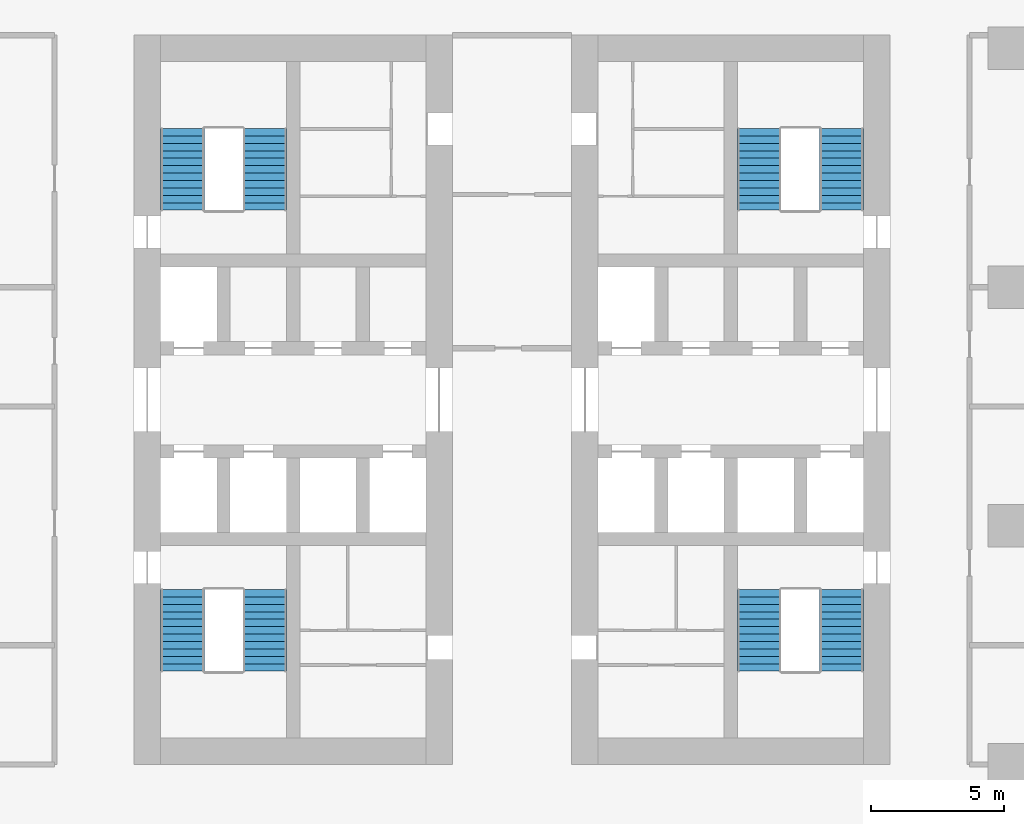
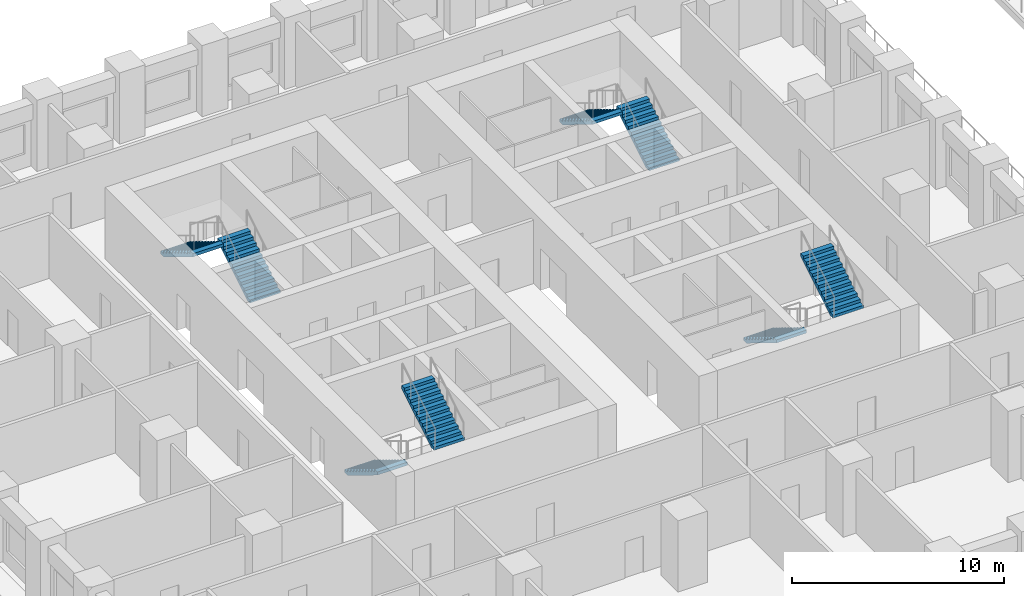
# One storey, part 26 of 30: 8 stair flights, 4 elements without a shape of their own.
"""IFC4 building model written with IfcOpenShell, lengths in metres."""

from ifc_helpers import new_model, si_unit, direction, frame, origin, place, context, subcontext, project, spatial, polyline, outline, extrude, material, type_object, element, aggregate, save


model = new_model("IFC4")

# Units and contexts
model_context = context("Model", 3, precision=1e-05, world=origin(), true_north=direction((0.0, 1.0)))
body_context = subcontext(model_context, "Body", "Model", "MODEL_VIEW")
ifc_project = project(units=[si_unit("LENGTHUNIT", "METRE"), si_unit("AREAUNIT", "SQUARE_METRE"), si_unit("VOLUMEUNIT", "CUBIC_METRE"), si_unit("PLANEANGLEUNIT", "RADIAN"), si_unit("MASSUNIT", "GRAM", prefix="KILO")], contexts=[model_context])

# Site, building, storey
site_placement = place(None, origin())
site = spatial("IfcSite", under=ifc_project, at=site_placement, CompositionType="ELEMENT")
building_placement = place(site_placement, origin())
building = spatial("IfcBuilding", under=site, at=building_placement, Name="Corbel Stack Research Tower", CompositionType="ELEMENT")
storey_placement = place(building_placement, frame((0.0, 0.0, 19.5)))
storey = spatial("IfcBuildingStorey", under=building, at=storey_placement, Name="L04", CompositionType="ELEMENT", Elevation=19.5)

# Stair, stair flights
ifc_material_1 = material(Name="Concrete C40/50", Category="concrete")
stair_type = type_object("IfcStairType", Name="Exit stair 24 risers", PredefinedType="HALF_TURN_STAIR", material=ifc_material_1)
stair_1_placement = place(storey_placement, origin())
stair_1 = element("IfcStair", 1, at=stair_1_placement, inside=storey, type_object=stair_type, Name="L04 Exit stair ST-W1", PredefinedType="HALF_TURN_STAIR")
ifc_material_2 = material(Name="Concrete C40/50", Category="concrete")
stair_flight_type = type_object("IfcStairFlightType", Name="Stair flight 12 risers", PredefinedType="STRAIGHT", material=ifc_material_2)
stair_flight_1_placement = place(storey_placement, frame((-8.675048828125, -2.39990234375, 0.0), z_axis=(0.0, 0.0, 1.0), x_axis=(0.0, -1.0, 0.0)))
stair_flight_1 = element("IfcStairFlight", 2, at=stair_flight_1_placement, type_object=stair_flight_type, Name="ST-W1 flight 1", NumberOfRisers=12, NumberOfTreads=11, PredefinedType="STRAIGHT", RiserHeight=0.170833333, TreadLength=0.28, context=body_context, shape_type="SweptSolid", body=[
    extrude(outline(polyline([(0.0, 0.0), (0.0, 0.1708984375), (0.280029296875, 0.1708984375), (0.280029296875, 0.341552734375), (0.56005859375, 0.341552734375), (0.56005859375, 0.512451171875), (0.840087890625, 0.512451171875), (0.840087890625, 0.683349609375), (1.1201171875, 0.683349609375), (1.1201171875, 0.854248046875), (1.39990234375, 0.854248046875), (1.39990234375, 1.02490234375), (1.679931640625, 1.02490234375), (1.679931640625, 1.19580078125), (1.9599609375, 1.19580078125), (1.9599609375, 1.36669921875), (2.239990234375, 1.36669921875), (2.239990234375, 1.53759765625), (2.52001953125, 1.53759765625), (2.52001953125, 1.708251953125), (2.800048828125, 1.708251953125), (2.800048828125, 1.879150390625), (3.080078125, 1.879150390625), (3.080078125, 2.050048828125), (3.080078125, 1.70361328125), (0.287841796875, 0.0), (0.0, 0.0)])), frame((0.0, 0.824951171875, 0.0), z_axis=(0.0, -1.0, 0.0), x_axis=(1.0, 0.0, 0.0)), (0.0, 0.0, 1.0), 1.64990234375),
])
stair_flight_2_placement = place(storey_placement, frame((-5.574951171875, -5.47998046875, 2.050048828125), z_axis=(0.0, 0.0, 1.0), x_axis=(0.0, 1.0, 0.0)))
stair_flight_2 = element("IfcStairFlight", 3, at=stair_flight_2_placement, type_object=stair_flight_type, Name="ST-W1 flight 2", NumberOfRisers=12, NumberOfTreads=11, PredefinedType="STRAIGHT", RiserHeight=0.170833333, TreadLength=0.28, context=body_context, shape_type="SweptSolid", body=[
    extrude(outline(polyline([(0.0, 0.0), (0.0, 0.1708984375), (0.280029296875, 0.1708984375), (0.280029296875, 0.341552734375), (0.56005859375, 0.341552734375), (0.56005859375, 0.512451171875), (0.840087890625, 0.512451171875), (0.840087890625, 0.683349609375), (1.1201171875, 0.683349609375), (1.1201171875, 0.854248046875), (1.39990234375, 0.854248046875), (1.39990234375, 1.02490234375), (1.679931640625, 1.02490234375), (1.679931640625, 1.19580078125), (1.9599609375, 1.19580078125), (1.9599609375, 1.36669921875), (2.239990234375, 1.36669921875), (2.239990234375, 1.53759765625), (2.52001953125, 1.53759765625), (2.52001953125, 1.708251953125), (2.800048828125, 1.708251953125), (2.800048828125, 1.879150390625), (3.080078125, 1.879150390625), (3.080078125, 2.050048828125), (3.080078125, 1.70361328125), (0.287841796875, 0.0), (0.0, 0.0)])), frame((0.0, 0.824951171875, 0.0), z_axis=(0.0, -1.0, 0.0), x_axis=(1.0, 0.0, 0.0)), (0.0, 0.0, 1.0), 1.64990234375),
])
aggregate(stair_1, [stair_flight_1, stair_flight_2])

stair_2_placement = place(storey_placement, origin())
stair_2 = element("IfcStair", 4, at=stair_2_placement, inside=storey, type_object=stair_type, Name="L04 Exit stair ST-W2", PredefinedType="HALF_TURN_STAIR")
stair_flight_3_placement = place(storey_placement, frame((-5.574951171875, 11.89990234375, 0.0), z_axis=(0.0, 0.0, 1.0), x_axis=(0.0, 1.0, 0.0)))
stair_flight_3 = element("IfcStairFlight", 5, at=stair_flight_3_placement, type_object=stair_flight_type, Name="ST-W2 flight 1", NumberOfRisers=12, NumberOfTreads=11, PredefinedType="STRAIGHT", RiserHeight=0.170833333, TreadLength=0.28, context=body_context, shape_type="SweptSolid", body=[
    extrude(outline(polyline([(0.0, 0.0), (0.0, 0.1708984375), (0.280029296875, 0.1708984375), (0.280029296875, 0.341552734375), (0.56005859375, 0.341552734375), (0.56005859375, 0.512451171875), (0.840087890625, 0.512451171875), (0.840087890625, 0.683349609375), (1.1201171875, 0.683349609375), (1.1201171875, 0.854248046875), (1.39990234375, 0.854248046875), (1.39990234375, 1.02490234375), (1.679931640625, 1.02490234375), (1.679931640625, 1.19580078125), (1.9599609375, 1.19580078125), (1.9599609375, 1.36669921875), (2.239990234375, 1.36669921875), (2.239990234375, 1.53759765625), (2.52001953125, 1.53759765625), (2.52001953125, 1.708251953125), (2.800048828125, 1.708251953125), (2.800048828125, 1.879150390625), (3.080078125, 1.879150390625), (3.080078125, 2.050048828125), (3.080078125, 1.70361328125), (0.287841796875, 0.0), (0.0, 0.0)])), frame((0.0, 0.824951171875, 0.0), z_axis=(0.0, -1.0, 0.0), x_axis=(1.0, 0.0, 0.0)), (0.0, 0.0, 1.0), 1.64990234375),
])
stair_flight_4_placement = place(storey_placement, frame((-8.675048828125, 14.97998046875, 2.050048828125), z_axis=(0.0, 0.0, 1.0), x_axis=(0.0, -1.0, 0.0)))
stair_flight_4 = element("IfcStairFlight", 6, at=stair_flight_4_placement, type_object=stair_flight_type, Name="ST-W2 flight 2", NumberOfRisers=12, NumberOfTreads=11, PredefinedType="STRAIGHT", RiserHeight=0.170833333, TreadLength=0.28, context=body_context, shape_type="SweptSolid", body=[
    extrude(outline(polyline([(0.0, 0.0), (0.0, 0.1708984375), (0.280029296875, 0.1708984375), (0.280029296875, 0.341552734375), (0.56005859375, 0.341552734375), (0.56005859375, 0.512451171875), (0.840087890625, 0.512451171875), (0.840087890625, 0.683349609375), (1.1201171875, 0.683349609375), (1.1201171875, 0.854248046875), (1.39990234375, 0.854248046875), (1.39990234375, 1.02490234375), (1.679931640625, 1.02490234375), (1.679931640625, 1.19580078125), (1.9599609375, 1.19580078125), (1.9599609375, 1.36669921875), (2.239990234375, 1.36669921875), (2.239990234375, 1.53759765625), (2.52001953125, 1.53759765625), (2.52001953125, 1.708251953125), (2.800048828125, 1.708251953125), (2.800048828125, 1.879150390625), (3.080078125, 1.879150390625), (3.080078125, 2.050048828125), (3.080078125, 1.70361328125), (0.287841796875, 0.0), (0.0, 0.0)])), frame((0.0, 0.824951171875, 0.0), z_axis=(0.0, -1.0, 0.0), x_axis=(1.0, 0.0, 0.0)), (0.0, 0.0, 1.0), 1.64990234375),
])
aggregate(stair_2, [stair_flight_3, stair_flight_4])

stair_3_placement = place(storey_placement, origin())
stair_3 = element("IfcStair", 7, at=stair_3_placement, inside=storey, type_object=stair_type, Name="L04 Exit stair ST-E1", PredefinedType="HALF_TURN_STAIR")
stair_flight_5_placement = place(storey_placement, frame((13.074951171875, -2.39990234375, 0.0), z_axis=(0.0, 0.0, 1.0), x_axis=(0.0, -1.0, 0.0)))
stair_flight_5 = element("IfcStairFlight", 8, at=stair_flight_5_placement, type_object=stair_flight_type, Name="ST-E1 flight 1", NumberOfRisers=12, NumberOfTreads=11, PredefinedType="STRAIGHT", RiserHeight=0.170833333, TreadLength=0.28, context=body_context, shape_type="SweptSolid", body=[
    extrude(outline(polyline([(0.0, 0.0), (0.0, 0.1708984375), (0.280029296875, 0.1708984375), (0.280029296875, 0.341552734375), (0.56005859375, 0.341552734375), (0.56005859375, 0.512451171875), (0.840087890625, 0.512451171875), (0.840087890625, 0.683349609375), (1.1201171875, 0.683349609375), (1.1201171875, 0.854248046875), (1.39990234375, 0.854248046875), (1.39990234375, 1.02490234375), (1.679931640625, 1.02490234375), (1.679931640625, 1.19580078125), (1.9599609375, 1.19580078125), (1.9599609375, 1.36669921875), (2.239990234375, 1.36669921875), (2.239990234375, 1.53759765625), (2.52001953125, 1.53759765625), (2.52001953125, 1.708251953125), (2.800048828125, 1.708251953125), (2.800048828125, 1.879150390625), (3.080078125, 1.879150390625), (3.080078125, 2.050048828125), (3.080078125, 1.70361328125), (0.287841796875, 0.0), (0.0, 0.0)])), frame((0.0, 0.824951171875, 0.0), z_axis=(0.0, -1.0, 0.0), x_axis=(1.0, 0.0, 0.0)), (0.0, 0.0, 1.0), 1.64990234375),
])
stair_flight_6_placement = place(storey_placement, frame((16.175048828125, -5.47998046875, 2.050048828125), z_axis=(0.0, 0.0, 1.0), x_axis=(0.0, 1.0, 0.0)))
stair_flight_6 = element("IfcStairFlight", 9, at=stair_flight_6_placement, type_object=stair_flight_type, Name="ST-E1 flight 2", NumberOfRisers=12, NumberOfTreads=11, PredefinedType="STRAIGHT", RiserHeight=0.170833333, TreadLength=0.28, context=body_context, shape_type="SweptSolid", body=[
    extrude(outline(polyline([(0.0, 0.0), (0.0, 0.1708984375), (0.280029296875, 0.1708984375), (0.280029296875, 0.341552734375), (0.56005859375, 0.341552734375), (0.56005859375, 0.512451171875), (0.840087890625, 0.512451171875), (0.840087890625, 0.683349609375), (1.1201171875, 0.683349609375), (1.1201171875, 0.854248046875), (1.39990234375, 0.854248046875), (1.39990234375, 1.02490234375), (1.679931640625, 1.02490234375), (1.679931640625, 1.19580078125), (1.9599609375, 1.19580078125), (1.9599609375, 1.36669921875), (2.239990234375, 1.36669921875), (2.239990234375, 1.53759765625), (2.52001953125, 1.53759765625), (2.52001953125, 1.708251953125), (2.800048828125, 1.708251953125), (2.800048828125, 1.879150390625), (3.080078125, 1.879150390625), (3.080078125, 2.050048828125), (3.080078125, 1.70361328125), (0.287841796875, 0.0), (0.0, 0.0)])), frame((0.0, 0.824951171875, 0.0), z_axis=(0.0, -1.0, 0.0), x_axis=(1.0, 0.0, 0.0)), (0.0, 0.0, 1.0), 1.64990234375),
])
aggregate(stair_3, [stair_flight_5, stair_flight_6])

stair_4_placement = place(storey_placement, origin())
stair_4 = element("IfcStair", 10, at=stair_4_placement, inside=storey, type_object=stair_type, Name="L04 Exit stair ST-E2", PredefinedType="HALF_TURN_STAIR")
stair_flight_7_placement = place(storey_placement, frame((16.175048828125, 11.89990234375, 0.0), z_axis=(0.0, 0.0, 1.0), x_axis=(0.0, 1.0, 0.0)))
stair_flight_7 = element("IfcStairFlight", 11, at=stair_flight_7_placement, type_object=stair_flight_type, Name="ST-E2 flight 1", NumberOfRisers=12, NumberOfTreads=11, PredefinedType="STRAIGHT", RiserHeight=0.170833333, TreadLength=0.28, context=body_context, shape_type="SweptSolid", body=[
    extrude(outline(polyline([(0.0, 0.0), (0.0, 0.1708984375), (0.280029296875, 0.1708984375), (0.280029296875, 0.341552734375), (0.56005859375, 0.341552734375), (0.56005859375, 0.512451171875), (0.840087890625, 0.512451171875), (0.840087890625, 0.683349609375), (1.1201171875, 0.683349609375), (1.1201171875, 0.854248046875), (1.39990234375, 0.854248046875), (1.39990234375, 1.02490234375), (1.679931640625, 1.02490234375), (1.679931640625, 1.19580078125), (1.9599609375, 1.19580078125), (1.9599609375, 1.36669921875), (2.239990234375, 1.36669921875), (2.239990234375, 1.53759765625), (2.52001953125, 1.53759765625), (2.52001953125, 1.708251953125), (2.800048828125, 1.708251953125), (2.800048828125, 1.879150390625), (3.080078125, 1.879150390625), (3.080078125, 2.050048828125), (3.080078125, 1.70361328125), (0.287841796875, 0.0), (0.0, 0.0)])), frame((0.0, 0.824951171875, 0.0), z_axis=(0.0, -1.0, 0.0), x_axis=(1.0, 0.0, 0.0)), (0.0, 0.0, 1.0), 1.64990234375),
])
stair_flight_8_placement = place(storey_placement, frame((13.074951171875, 14.97998046875, 2.050048828125), z_axis=(0.0, 0.0, 1.0), x_axis=(0.0, -1.0, 0.0)))
stair_flight_8 = element("IfcStairFlight", 12, at=stair_flight_8_placement, type_object=stair_flight_type, Name="ST-E2 flight 2", NumberOfRisers=12, NumberOfTreads=11, PredefinedType="STRAIGHT", RiserHeight=0.170833333, TreadLength=0.28, context=body_context, shape_type="SweptSolid", body=[
    extrude(outline(polyline([(0.0, 0.0), (0.0, 0.1708984375), (0.280029296875, 0.1708984375), (0.280029296875, 0.341552734375), (0.56005859375, 0.341552734375), (0.56005859375, 0.512451171875), (0.840087890625, 0.512451171875), (0.840087890625, 0.683349609375), (1.1201171875, 0.683349609375), (1.1201171875, 0.854248046875), (1.39990234375, 0.854248046875), (1.39990234375, 1.02490234375), (1.679931640625, 1.02490234375), (1.679931640625, 1.19580078125), (1.9599609375, 1.19580078125), (1.9599609375, 1.36669921875), (2.239990234375, 1.36669921875), (2.239990234375, 1.53759765625), (2.52001953125, 1.53759765625), (2.52001953125, 1.708251953125), (2.800048828125, 1.708251953125), (2.800048828125, 1.879150390625), (3.080078125, 1.879150390625), (3.080078125, 2.050048828125), (3.080078125, 1.70361328125), (0.287841796875, 0.0), (0.0, 0.0)])), frame((0.0, 0.824951171875, 0.0), z_axis=(0.0, -1.0, 0.0), x_axis=(1.0, 0.0, 0.0)), (0.0, 0.0, 1.0), 1.64990234375),
])
aggregate(stair_4, [stair_flight_7, stair_flight_8])

save(model, "model.ifc")
